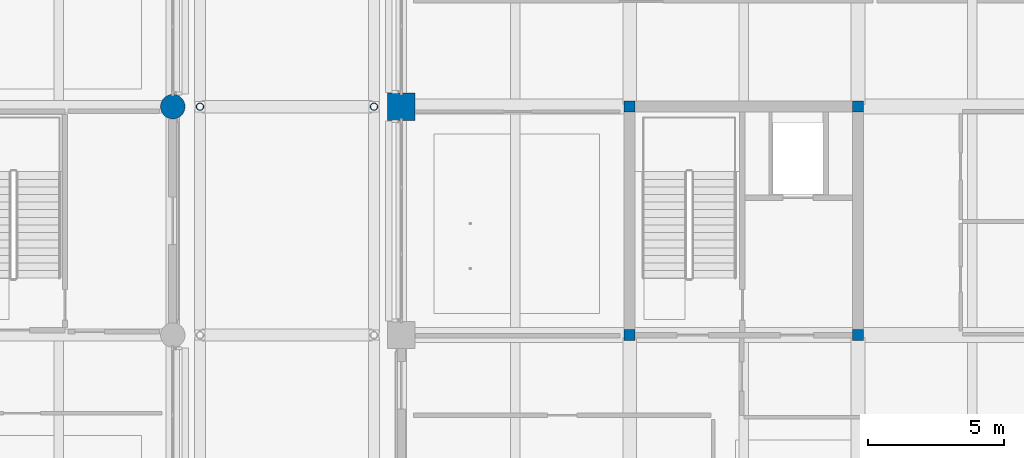
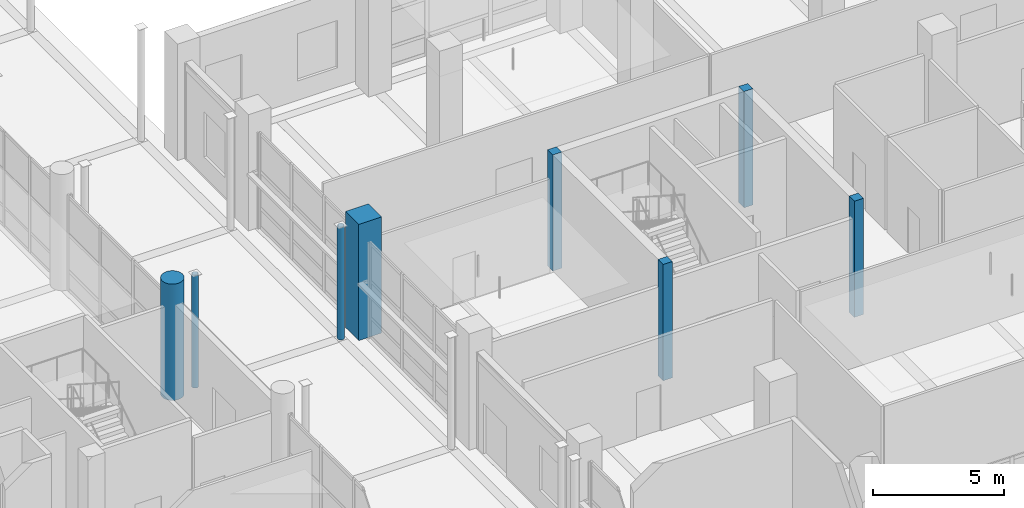
# One storey, part 3 of 140: 8 columns.
"""IFC4 building model written with IfcOpenShell, lengths in metres."""

from ifc_helpers import new_model, si_unit, direction, frame, origin, origin_2d, place, context, subcontext, project, spatial, rectangle, circle, hollow_circle, extrude, material, material_profile, profile_set, type_object, element, save


model = new_model("IFC4")

# Units and contexts
model_context = context("Model", 3, precision=1e-05, world=origin(), true_north=direction((0.0, 1.0)))
body_context = subcontext(model_context, "Body", "Model", "MODEL_VIEW")
ifc_project = project(units=[si_unit("LENGTHUNIT", "METRE"), si_unit("AREAUNIT", "SQUARE_METRE"), si_unit("VOLUMEUNIT", "CUBIC_METRE"), si_unit("PLANEANGLEUNIT", "RADIAN"), si_unit("MASSUNIT", "GRAM", prefix="KILO")], contexts=[model_context])

# Site, building, storey
site_placement = place(None, origin())
site = spatial("IfcSite", under=ifc_project, at=site_placement, CompositionType="ELEMENT")
building_placement = place(site_placement, origin())
building = spatial("IfcBuilding", under=site, at=building_placement, Name="Telukmera Botanical Conservatory", CompositionType="ELEMENT")
storey_placement = place(building_placement, origin())
storey = spatial("IfcBuildingStorey", under=building, at=storey_placement, Name="L00", CompositionType="ELEMENT", Elevation=0.0)

# Columns
ifc_material_1 = material(Name="Concrete C50/60", Category="concrete")
ifc_material_profile_1 = material_profile(ifc_material_1, rectangle(XDim=0.39990234375, YDim=0.39990234375, at=origin_2d()), Name="RC 400x400")
ifc_profile_set_1 = profile_set([ifc_material_profile_1], Name="Concrete C50/60")
column_type_1 = type_object("IfcColumnType", Name="Col_C14", PredefinedType="COLUMN", material=ifc_profile_set_1)
for number, where, z_axis, x_axis, name in (
    (1, (58.800048828125, 26.0, 0.0), (0.0, 0.0, 1.0), (1.0, 0.0, 0.0), "Column V4-L00 (58.8,26.0)"),
    (2, (58.800048828125, 34.39990234375, 0.0), (0.0, 0.0, 1.0), (1.0, 0.0, 0.0), "Column V4-L00 (58.8,34.4)"),
    (3, (67.199951171875, 26.0, 0.0), (0.0, 0.0, 1.0), (1.0, 0.0, 0.0), "Column V4-L00 (67.2,26.0)"),
    (4, (67.199951171875, 34.39990234375, 0.0), (0.0, 0.0, 1.0), (1.0, 0.0, 0.0), "Column V4-L00 (67.2,34.4)"),
):
    element("IfcColumn", number, at=place(storey_placement, frame(where, z_axis=z_axis, x_axis=x_axis)), inside=storey, type_object=column_type_1, Name=name, PredefinedType="COLUMN", context=body_context, shape_type="SweptSolid", body=[
        extrude(rectangle(XDim=0.39990234375, YDim=0.39990234375, at=origin_2d()), origin(), (0.0, 0.0, 1.0), 5.39990234375),
    ])
ifc_material_2 = material(Name="Concrete C40/50", Category="concrete")
ifc_material_profile_2 = material_profile(ifc_material_2, circle(Radius=0.449951171875, at=origin_2d()), Name="RC D900")
ifc_profile_set_2 = profile_set([ifc_material_profile_2], Name="Concrete C40/50")
column_type_2 = type_object("IfcColumnType", Name="Col_C16", PredefinedType="COLUMN", material=ifc_profile_set_2)
column_1_placement = place(storey_placement, frame((42.0, 34.39990234375, 0.0), z_axis=(0.0, 0.0, 1.0), x_axis=(1.0, 0.0, 0.0)))
element("IfcColumn", 5, at=column_1_placement, inside=storey, type_object=column_type_2, Name="Column V3-L00 (42.0,34.4)", PredefinedType="COLUMN", context=body_context, shape_type="SweptSolid", body=[
    extrude(circle(Radius=0.449951171875, at=origin_2d()), origin(), (0.0, 0.0, 1.0), 5.39990234375),
])
ifc_material_profile_3 = material_profile(ifc_material_1, rectangle(XDim=1.0, YDim=1.0, at=origin_2d()), Name="RC 1000x1000")
ifc_profile_set_3 = profile_set([ifc_material_profile_3], Name="Concrete C50/60")
column_type_3 = type_object("IfcColumnType", Name="Col_C3", PredefinedType="COLUMN", material=ifc_profile_set_3)
column_2_placement = place(storey_placement, frame((50.39990234375, 34.39990234375, 0.0), z_axis=(0.0, 0.0, 1.0), x_axis=(1.0, 0.0, 0.0)))
element("IfcColumn", 6, at=column_2_placement, inside=storey, type_object=column_type_3, Name="Column V4-L00 (50.4,34.4)", PredefinedType="COLUMN", context=body_context, shape_type="SweptSolid", body=[
    extrude(rectangle(XDim=1.0, YDim=1.0, at=origin_2d()), origin(), (0.0, 0.0, 1.0), 5.39990234375),
])
ifc_material_3 = material(Name="Steel S355", Category="steel")
ifc_material_profile_4 = material_profile(ifc_material_3, hollow_circle(Radius=0.136474609375, WallThickness=0.010009765625, at=origin_2d()), Name="CHS 273.0x10.0")
ifc_profile_set_4 = profile_set([ifc_material_profile_4], Name="Steel S355")
column_type_4 = type_object("IfcColumnType", Name="Col_SC2", PredefinedType="COLUMN", material=ifc_profile_set_4)
for number, where, z_axis, x_axis, name in (
    (7, (43.0, 34.39990234375, 0.0), (0.0, 0.0, 1.0), (1.0, 0.0, 0.0), "Column V5-L00 (43.0,34.4)"),
    (8, (49.39990234375, 34.39990234375, 0.0), (0.0, 0.0, 1.0), (1.0, 0.0, 0.0), "Column V5-L00 (49.4,34.4)"),
):
    element("IfcColumn", number, at=place(storey_placement, frame(where, z_axis=z_axis, x_axis=x_axis)), inside=storey, type_object=column_type_4, Name=name, PredefinedType="COLUMN", context=body_context, shape_type="SweptSolid", body=[
        extrude(hollow_circle(Radius=0.136474609375, WallThickness=0.010009765625, at=origin_2d()), origin(), (0.0, 0.0, 1.0), 5.239990234375),
    ])

save(model, "model.ifc")
